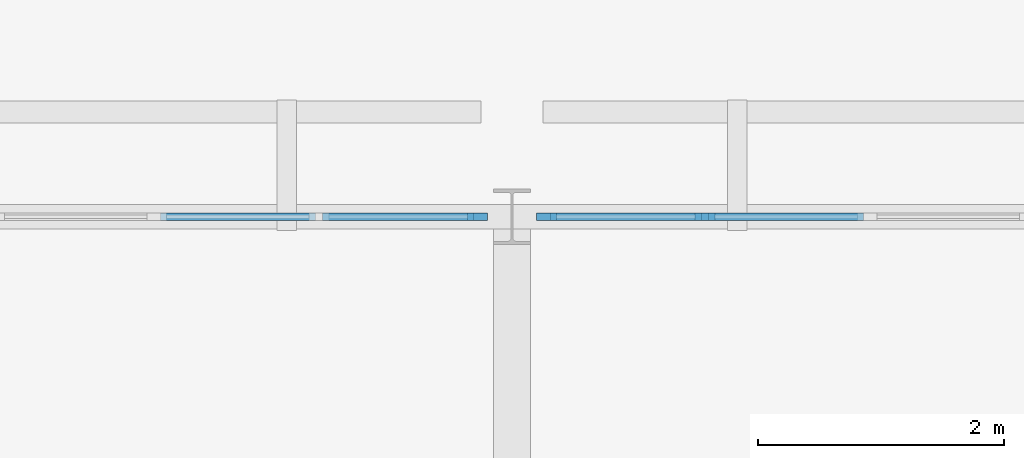
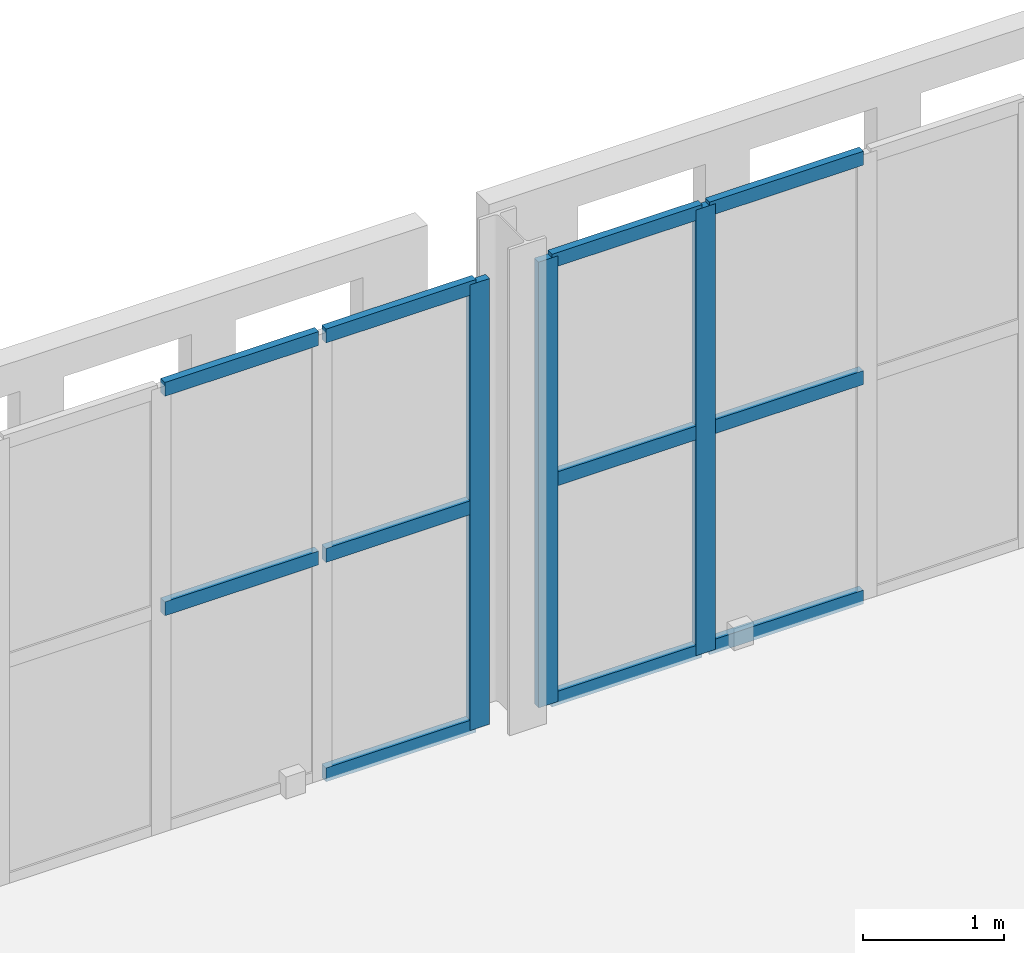
# One storey, part 51 of 166: 14 members, 2 elements without a shape of their own.
"""IFC4 building model written with IfcOpenShell, lengths in metres."""

from ifc_helpers import new_model, si_unit, direction, frame, origin, origin_2d, place, context, subcontext, project, spatial, rectangle, extrude, material, layer, layer_set, material_profile, profile_set, type_object, element, aggregate, save


model = new_model("IFC4")

# Units and contexts
model_context = context("Model", 3, precision=1e-05, world=origin(), true_north=direction((0.0, 1.0)))
body_context = subcontext(model_context, "Body", "Model", "MODEL_VIEW")
ifc_project = project(units=[si_unit("LENGTHUNIT", "METRE"), si_unit("AREAUNIT", "SQUARE_METRE"), si_unit("VOLUMEUNIT", "CUBIC_METRE"), si_unit("PLANEANGLEUNIT", "RADIAN"), si_unit("MASSUNIT", "GRAM", prefix="KILO")], contexts=[model_context])

# Site, building, storey
site_placement = place(None, origin())
site = spatial("IfcSite", under=ifc_project, at=site_placement, CompositionType="ELEMENT")
building_placement = place(site_placement, origin())
building = spatial("IfcBuilding", under=site, at=building_placement, Name="Varnapada Polytechnic", CompositionType="ELEMENT")
storey_placement = place(building_placement, frame((0.0, 0.0, 9.60009765625)))
storey = spatial("IfcBuildingStorey", under=building, at=storey_placement, Name="L02", CompositionType="ELEMENT", Elevation=9.60009765625)

# Curtain wall, member
ifc_material_1 = material(Name="Double low-E laminated glass", Category="glass")
ifc_layer = layer(ifc_material_1, 0.159912109375)
ifc_layer_set = layer_set([ifc_layer], Name="Double low-E laminated glass")
curtain_wall_type = type_object("IfcCurtainWallType", Name="Curtain Wall CW-02", PredefinedType="NOTDEFINED", material=ifc_layer_set)
curtain_wall_1_placement = place(storey_placement, origin())
curtain_wall_1 = element("IfcCurtainWall", 1, at=curtain_wall_1_placement, inside=storey, type_object=curtain_wall_type, Name="L02 high-bay workshop north curtain wall 11", PredefinedType="NOTDEFINED")
ifc_material_2 = material(Name="Anodised aluminium", Category="aluminium")
ifc_material_profile_1 = material_profile(ifc_material_2, rectangle(XDim=0.06005859375, YDim=0.159912109375, at=origin_2d()), Name="ALU M60x160")
ifc_profile_set_1 = profile_set([ifc_material_profile_1], Name="Anodised aluminium")
member_type_1 = type_object("IfcMemberType", Name="Mullion M-01", PredefinedType="MULLION", material=ifc_profile_set_1)
member_1_placement = place(storey_placement, frame((92.1201171875, 126.0, 0.0), z_axis=(0.0, 0.0, 1.0), x_axis=(0.0, 1.0, 0.0)))
member_1 = element("IfcMember", 2, at=member_1_placement, type_object=member_type_1, Name="CW-02 mullion 7", PredefinedType="MULLION", context=body_context, shape_type="SweptSolid", body=[
    extrude(rectangle(XDim=0.06005859375, YDim=0.159912109375, at=origin_2d()), origin(), (0.0, 0.0, 1.0), 3.849853515625),
])

# Curtain wall, members
curtain_wall_2_placement = place(storey_placement, origin())
curtain_wall_2 = element("IfcCurtainWall", 3, at=curtain_wall_2_placement, inside=storey, type_object=curtain_wall_type, Name="L02 high-bay workshop north curtain wall 12", PredefinedType="NOTDEFINED")
member_2_placement = place(storey_placement, frame((92.679931640625, 126.0, 0.0), z_axis=(0.0, 0.0, 1.0), x_axis=(0.0, 1.0, 0.0)))
member_2 = element("IfcMember", 4, at=member_2_placement, type_object=member_type_1, Name="CW-02 mullion 1", PredefinedType="MULLION", context=body_context, shape_type="SweptSolid", body=[
    extrude(rectangle(XDim=0.06005859375, YDim=0.159912109375, at=origin_2d()), origin(), (0.0, 0.0, 1.0), 3.849853515625),
])
member_3_placement = place(storey_placement, frame((93.966552734375, 126.0, 0.0), z_axis=(0.0, 0.0, 1.0), x_axis=(0.0, 1.0, 0.0)))
member_3 = element("IfcMember", 5, at=member_3_placement, type_object=member_type_1, Name="CW-02 mullion 2", PredefinedType="MULLION", context=body_context, shape_type="SweptSolid", body=[
    extrude(rectangle(XDim=0.06005859375, YDim=0.159912109375, at=origin_2d()), origin(), (0.0, 0.0, 1.0), 3.849853515625),
])

# Member
ifc_material_profile_2 = material_profile(ifc_material_2, rectangle(XDim=0.06005859375, YDim=0.1201171875, at=origin_2d()), Name="ALU T60x120")
ifc_profile_set_2 = profile_set([ifc_material_profile_2], Name="Anodised aluminium")
member_type_2 = type_object("IfcMemberType", Name="Transom T-01", PredefinedType="USERDEFINED", material=ifc_profile_set_2)
member_4_placement = place(storey_placement, frame((89.546630859375, 126.0, 1.9248046875), z_axis=(1.0, 0.0, 0.0), x_axis=(0.0, 1.0, 0.0)))
member_4 = element("IfcMember", 6, at=member_4_placement, type_object=member_type_2, Name="CW-02 transom 5.2", ObjectType="TRANSOM", PredefinedType="USERDEFINED", context=body_context, shape_type="SweptSolid", body=[
    extrude(rectangle(XDim=0.06005859375, YDim=0.1201171875, at=origin_2d()), origin(), (0.0, 0.0, 1.0), 1.256591796875),
])

member_5_placement = place(storey_placement, frame((89.546630859375, 126.0, 3.81982421875), z_axis=(1.0, 0.0, 0.0), x_axis=(0.0, 1.0, 0.0)))
member_5 = element("IfcMember", 7, at=member_5_placement, type_object=member_type_2, Name="CW-02 transom 5.3", ObjectType="TRANSOM", PredefinedType="USERDEFINED", context=body_context, shape_type="SweptSolid", body=[
    extrude(rectangle(XDim=0.06005859375, YDim=0.1201171875, at=origin_2d()), origin(), (0.0, 0.0, 1.0), 1.256591796875),
])

member_6_placement = place(storey_placement, frame((90.86328125, 126.0, 0.02978515625), z_axis=(1.0, 0.0, 0.0), x_axis=(0.0, 1.0, 0.0)))
member_6 = element("IfcMember", 8, at=member_6_placement, type_object=member_type_2, Name="CW-02 transom 6.1", ObjectType="TRANSOM", PredefinedType="USERDEFINED", context=body_context, shape_type="SweptSolid", body=[
    extrude(rectangle(XDim=0.06005859375, YDim=0.1201171875, at=origin_2d()), origin(), (0.0, 0.0, 1.0), 1.226806640625),
])

member_7_placement = place(storey_placement, frame((90.86328125, 126.0, 1.9248046875), z_axis=(1.0, 0.0, 0.0), x_axis=(0.0, 1.0, 0.0)))
member_7 = element("IfcMember", 9, at=member_7_placement, type_object=member_type_2, Name="CW-02 transom 6.2", ObjectType="TRANSOM", PredefinedType="USERDEFINED", context=body_context, shape_type="SweptSolid", body=[
    extrude(rectangle(XDim=0.06005859375, YDim=0.1201171875, at=origin_2d()), origin(), (0.0, 0.0, 1.0), 1.226806640625),
])

member_8_placement = place(storey_placement, frame((90.86328125, 126.0, 3.81982421875), z_axis=(1.0, 0.0, 0.0), x_axis=(0.0, 1.0, 0.0)))
member_8 = element("IfcMember", 10, at=member_8_placement, type_object=member_type_2, Name="CW-02 transom 6.3", ObjectType="TRANSOM", PredefinedType="USERDEFINED", context=body_context, shape_type="SweptSolid", body=[
    extrude(rectangle(XDim=0.06005859375, YDim=0.1201171875, at=origin_2d()), origin(), (0.0, 0.0, 1.0), 1.226806640625),
])

aggregate(curtain_wall_1, [member_1, member_4, member_5, member_6, member_7, member_8])

member_9_placement = place(storey_placement, frame((92.7099609375, 126.0, 0.02978515625), z_axis=(1.0, 0.0, 0.0), x_axis=(0.0, 1.0, 0.0)))
member_9 = element("IfcMember", 11, at=member_9_placement, type_object=member_type_2, Name="CW-02 transom 1.1", ObjectType="TRANSOM", PredefinedType="USERDEFINED", context=body_context, shape_type="SweptSolid", body=[
    extrude(rectangle(XDim=0.06005859375, YDim=0.1201171875, at=origin_2d()), origin(), (0.0, 0.0, 1.0), 1.226806640625),
])

member_10_placement = place(storey_placement, frame((92.7099609375, 126.0, 1.9248046875), z_axis=(1.0, 0.0, 0.0), x_axis=(0.0, 1.0, 0.0)))
member_10 = element("IfcMember", 12, at=member_10_placement, type_object=member_type_2, Name="CW-02 transom 1.2", ObjectType="TRANSOM", PredefinedType="USERDEFINED", context=body_context, shape_type="SweptSolid", body=[
    extrude(rectangle(XDim=0.06005859375, YDim=0.1201171875, at=origin_2d()), origin(), (0.0, 0.0, 1.0), 1.226806640625),
])

member_11_placement = place(storey_placement, frame((92.7099609375, 126.0, 3.81982421875), z_axis=(1.0, 0.0, 0.0), x_axis=(0.0, 1.0, 0.0)))
member_11 = element("IfcMember", 13, at=member_11_placement, type_object=member_type_2, Name="CW-02 transom 1.3", ObjectType="TRANSOM", PredefinedType="USERDEFINED", context=body_context, shape_type="SweptSolid", body=[
    extrude(rectangle(XDim=0.06005859375, YDim=0.1201171875, at=origin_2d()), origin(), (0.0, 0.0, 1.0), 1.226806640625),
])

member_12_placement = place(storey_placement, frame((93.99658203125, 126.0, 0.02978515625), z_axis=(1.0, 0.0, 0.0), x_axis=(0.0, 1.0, 0.0)))
member_12 = element("IfcMember", 14, at=member_12_placement, type_object=member_type_2, Name="CW-02 transom 2.1", ObjectType="TRANSOM", PredefinedType="USERDEFINED", context=body_context, shape_type="SweptSolid", body=[
    extrude(rectangle(XDim=0.06005859375, YDim=0.1201171875, at=origin_2d()), origin(), (0.0, 0.0, 1.0), 1.2568359375),
])

member_13_placement = place(storey_placement, frame((93.99658203125, 126.0, 1.9248046875), z_axis=(1.0, 0.0, 0.0), x_axis=(0.0, 1.0, 0.0)))
member_13 = element("IfcMember", 15, at=member_13_placement, type_object=member_type_2, Name="CW-02 transom 2.2", ObjectType="TRANSOM", PredefinedType="USERDEFINED", context=body_context, shape_type="SweptSolid", body=[
    extrude(rectangle(XDim=0.06005859375, YDim=0.1201171875, at=origin_2d()), origin(), (0.0, 0.0, 1.0), 1.2568359375),
])

member_14_placement = place(storey_placement, frame((93.99658203125, 126.0, 3.81982421875), z_axis=(1.0, 0.0, 0.0), x_axis=(0.0, 1.0, 0.0)))
member_14 = element("IfcMember", 16, at=member_14_placement, type_object=member_type_2, Name="CW-02 transom 2.3", ObjectType="TRANSOM", PredefinedType="USERDEFINED", context=body_context, shape_type="SweptSolid", body=[
    extrude(rectangle(XDim=0.06005859375, YDim=0.1201171875, at=origin_2d()), origin(), (0.0, 0.0, 1.0), 1.2568359375),
])

aggregate(curtain_wall_2, [member_2, member_3, member_9, member_10, member_11, member_12, member_13, member_14])

save(model, "model.ifc")
